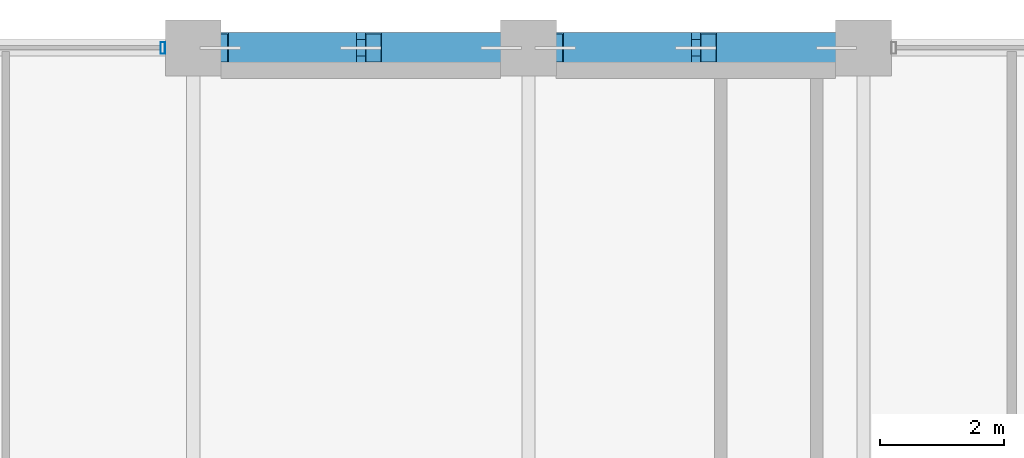
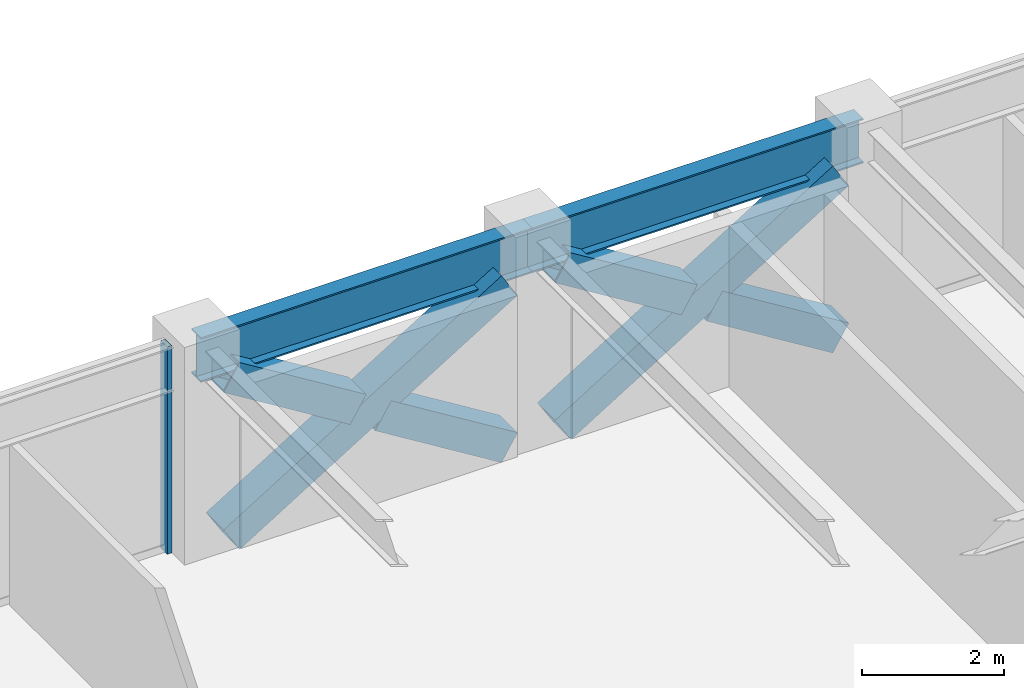
# One storey, part 21 of 32: 7 members, 2 beams, 1 element without a shape of its own.
"""IFC4 building model written with IfcOpenShell, lengths in metres."""

from ifc_helpers import new_model, si_unit, direction, frame, origin, origin_2d, place, context, subcontext, project, spatial, hollow_rectangle, i_section, extrude, material, layer, layer_set, material_profile, profile_set, type_object, element, aggregate, save


model = new_model("IFC4")

# Units and contexts
model_context = context("Model", 3, precision=1e-05, world=origin(), true_north=direction((0.0, 1.0)))
body_context = subcontext(model_context, "Body", "Model", "MODEL_VIEW")
ifc_project = project(units=[si_unit("LENGTHUNIT", "METRE"), si_unit("AREAUNIT", "SQUARE_METRE"), si_unit("VOLUMEUNIT", "CUBIC_METRE"), si_unit("PLANEANGLEUNIT", "RADIAN"), si_unit("MASSUNIT", "GRAM", prefix="KILO")], contexts=[model_context])

# Site, building, storey
site_placement = place(None, origin())
site = spatial("IfcSite", under=ifc_project, at=site_placement, CompositionType="ELEMENT")
building_placement = place(site_placement, origin())
building = spatial("IfcBuilding", under=site, at=building_placement, Name="Surkhivell Harbour Commons", CompositionType="ELEMENT")
storey_placement = place(building_placement, frame((0.0, 0.0, 197.25)))
storey = spatial("IfcBuildingStorey", under=building, at=storey_placement, Name="L51", CompositionType="ELEMENT", Elevation=197.25)

# Beams
ifc_material_1 = material(Name="Steel S355", Category="steel")
ifc_material_profile_1 = material_profile(ifc_material_1, i_section(OverallWidth=0.26806640625, OverallDepth=0.77001953125, WebThickness=0.015625, FlangeThickness=0.025390625, at=origin_2d()), Name="UB762x267x197")
ifc_profile_set_1 = profile_set([ifc_material_profile_1], Name="Steel S355")
beam_type = type_object("IfcBeamType", Name="BM-SPN-762", PredefinedType="SPANDREL", material=ifc_profile_set_1)
for number, where, z_axis, x_axis, name in (
    (1, (-5.39990234375, 25.89990234375, 3.18505859375), (1.0, 0.0, 0.0), (0.0, 1.0, 0.0), "L51 Tube Spandrel (-5.4,25.9)"),
    (2, (0.0, 25.89990234375, 3.18505859375), (1.0, 0.0, 0.0), (0.0, 1.0, 0.0), "L51 Tube Spandrel (-0.0,25.9)"),
):
    element("IfcBeam", number, at=place(storey_placement, frame(where, z_axis=z_axis, x_axis=x_axis)), inside=storey, type_object=beam_type, Name=name, PredefinedType="SPANDREL", context=body_context, shape_type="SweptSolid", body=[
        extrude(i_section(OverallWidth=0.26806640625, OverallDepth=0.77001953125, WebThickness=0.015625, FlangeThickness=0.025390625, at=origin_2d()), origin(), (0.0, 0.0, 1.0), 5.39990234375),
    ])

# Curtain wall, member
ifc_material_2 = material(Name="Anodised pale-metal aluminium and insulated glazing", Category="aluminium")
ifc_layer = layer(ifc_material_2, 0.18994140625)
ifc_layer_set = layer_set([ifc_layer], Name="Anodised pale-metal aluminium and insulated glazing")
curtain_wall_type = type_object("IfcCurtainWallType", Name="CW-SYS-Z3", PredefinedType="NOTDEFINED", material=ifc_layer_set)
curtain_wall_placement = place(storey_placement, origin())
curtain_wall = element("IfcCurtainWall", 3, at=curtain_wall_placement, inside=storey, type_object=curtain_wall_type, Name="L51 Curtain Wall CW-L51-E07S2", PredefinedType="NOTDEFINED")
ifc_material_3 = material(Name="Anodised pale-metal aluminium alloy 6063-T6", Category="aluminium")
ifc_material_profile_2 = material_profile(ifc_material_3, hollow_rectangle(XDim=0.074951171875, YDim=0.18994140625, WallThickness=0.00390625, at=origin_2d()), Name="ALU-MULL-75x190")
ifc_profile_set_2 = profile_set([ifc_material_profile_2], Name="Anodised pale-metal aluminium alloy 6063-T6")
member_type_1 = type_object("IfcMemberType", Name="CWM-190", PredefinedType="MULLION", material=ifc_profile_set_2)
member_1_placement = place(storey_placement, frame((-5.889404296875, 25.89990234375, 0.0), z_axis=(0.0, 0.0, 1.0), x_axis=(-1.0, 0.0, 0.0)))
member_1 = element("IfcMember", 4, at=member_1_placement, type_object=member_type_1, Name="CW-Z3 mullion 1", PredefinedType="MULLION", context=body_context, shape_type="SweptSolid", body=[
    extrude(hollow_rectangle(XDim=0.074951171875, YDim=0.18994140625, WallThickness=0.00390625, at=origin_2d()), origin(), (0.0, 0.0, 1.0), 3.570068359375),
])
aggregate(curtain_wall, [member_1])

# Members
ifc_material_4 = material(Name="Steel S460", Category="steel")
ifc_material_profile_3 = material_profile(ifc_material_4, hollow_rectangle(XDim=0.5, YDim=0.5, WallThickness=0.02490234375, at=origin_2d()), Name="SHS500x500x25")
ifc_profile_set_3 = profile_set([ifc_material_profile_3], Name="Steel S460")
member_type_2 = type_object("IfcMemberType", Name="MEM-BRC-SHS500", PredefinedType="BRACE", material=ifc_profile_set_3)
member_2_placement = place(storey_placement, frame((-4.965087890625, 25.89990234375, 0.008056640625), z_axis=(0.850971032488, 0.0, 0.525212625387), x_axis=(0.0, 1.0, 0.0)))
element("IfcMember", 5, at=member_2_placement, inside=storey, type_object=member_type_2, Name="L51 Perimeter Mega-Brace MB- 01", PredefinedType="BRACE", context=body_context, shape_type="SweptSolid", body=[
    extrude(hollow_rectangle(XDim=0.5, YDim=0.5, WallThickness=0.02490234375, at=origin_2d()), origin(), (0.0, 0.0, 1.0), 5.323486328125),
])
for number, where, z_axis, x_axis, name in (
    (6, (-0.43505859375, 25.89990234375, 0.008056640625), (-0.8510034189, 0.0, 0.525160147974), (0.0, -1.0, 0.0), "L51 Perimeter Mega-Brace MB- 02"),
    (7, (-2.904296875, 25.89990234375, 1.531982421875), (-0.850958361341, 0.0, 0.525233155146), (0.0, -1.0, 0.0), "L51 Perimeter Mega-Brace MB- 03"),
):
    element("IfcMember", number, at=place(storey_placement, frame(where, z_axis=z_axis, x_axis=x_axis)), inside=storey, type_object=member_type_2, Name=name, PredefinedType="BRACE", context=body_context, shape_type="SweptSolid", body=[
        extrude(hollow_rectangle(XDim=0.5, YDim=0.5, WallThickness=0.02490234375, at=origin_2d()), origin(), (0.0, 0.0, 1.0), 2.421630859375),
    ])
member_3_placement = place(storey_placement, frame((0.43505859375, 25.89990234375, 0.008056640625), z_axis=(0.850971032488, 0.0, 0.525212625387), x_axis=(0.0, 1.0, 0.0)))
element("IfcMember", 8, at=member_3_placement, inside=storey, type_object=member_type_2, Name="L51 Perimeter Mega-Brace MB- 04", PredefinedType="BRACE", context=body_context, shape_type="SweptSolid", body=[
    extrude(hollow_rectangle(XDim=0.5, YDim=0.5, WallThickness=0.02490234375, at=origin_2d()), origin(), (0.0, 0.0, 1.0), 5.323486328125),
])
for number, where, z_axis, x_axis, name in (
    (9, (4.965087890625, 25.89990234375, 0.008056640625), (-0.8510034189, 0.0, 0.525160147974), (0.0, -1.0, 0.0), "L51 Perimeter Mega-Brace MB- 05"),
    (10, (2.495849609375, 25.89990234375, 1.531982421875), (-0.850958361341, 0.0, 0.525233155146), (0.0, -1.0, 0.0), "L51 Perimeter Mega-Brace MB- 06"),
):
    element("IfcMember", number, at=place(storey_placement, frame(where, z_axis=z_axis, x_axis=x_axis)), inside=storey, type_object=member_type_2, Name=name, PredefinedType="BRACE", context=body_context, shape_type="SweptSolid", body=[
        extrude(hollow_rectangle(XDim=0.5, YDim=0.5, WallThickness=0.02490234375, at=origin_2d()), origin(), (0.0, 0.0, 1.0), 2.421630859375),
    ])

save(model, "model.ifc")
